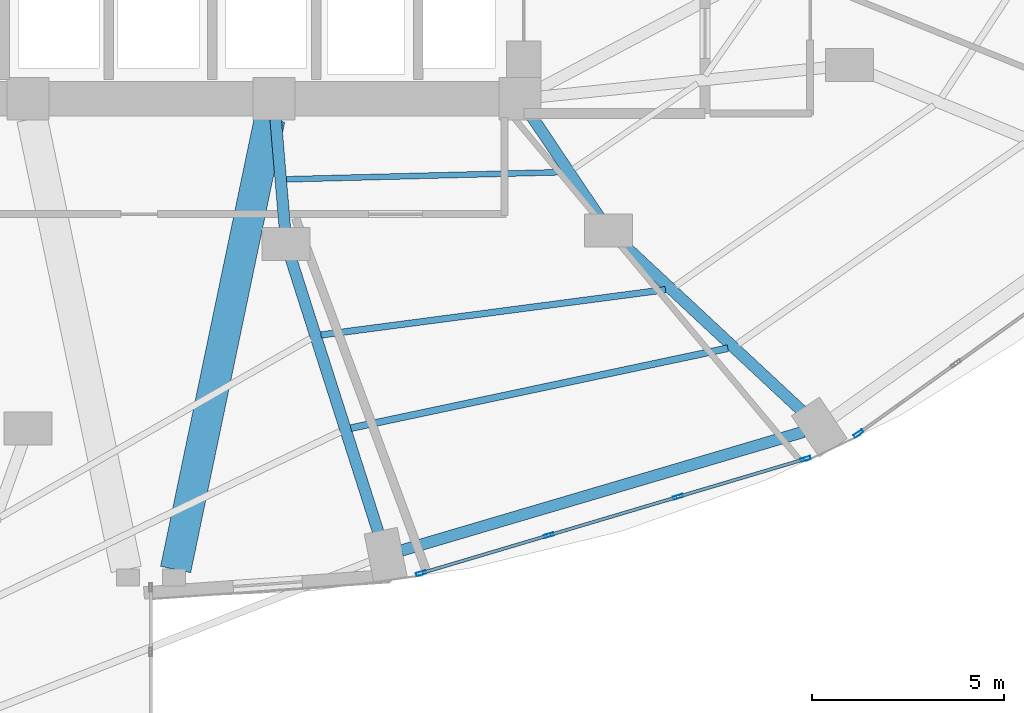
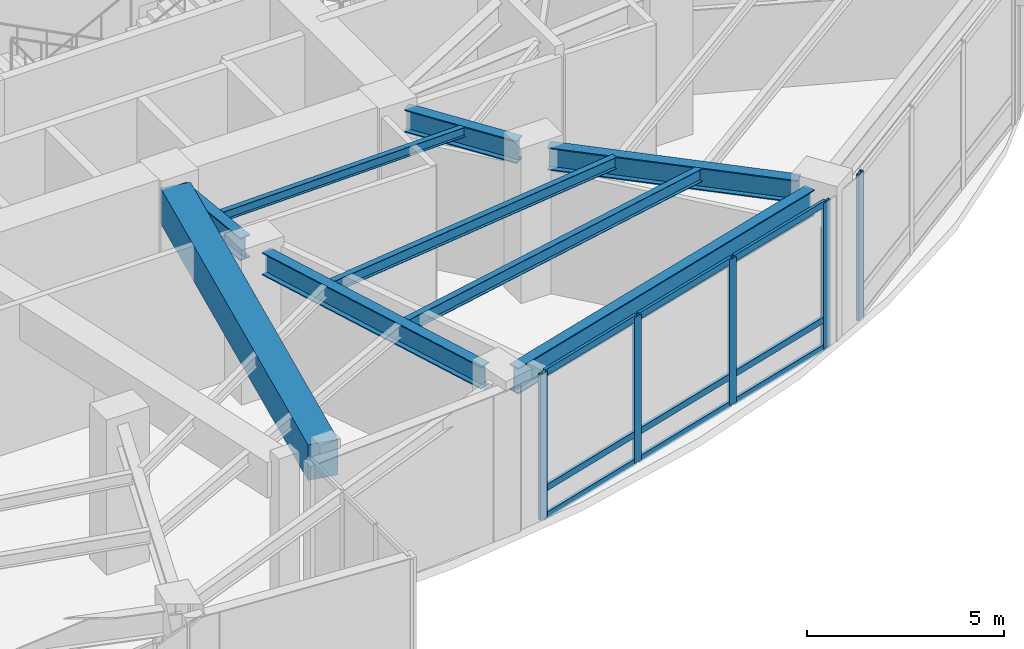
# One storey, part 10 of 24: 14 members, 9 beams, 2 elements without a shape of their own.
"""IFC4 building model written with IfcOpenShell, lengths in metres."""

from ifc_helpers import new_model, si_unit, direction, frame, origin, origin_2d, place, context, subcontext, project, spatial, rectangle, hollow_rectangle, i_section, extrude, material, layer, layer_set, material_profile, profile_set, type_object, element, aggregate, save


model = new_model("IFC4")

# Units and contexts
model_context = context("Model", 3, precision=1e-05, world=origin(), true_north=direction((0.0, 1.0)))
body_context = subcontext(model_context, "Body", "Model", "MODEL_VIEW")
ifc_project = project(units=[si_unit("LENGTHUNIT", "METRE"), si_unit("AREAUNIT", "SQUARE_METRE"), si_unit("VOLUMEUNIT", "CUBIC_METRE"), si_unit("PLANEANGLEUNIT", "RADIAN"), si_unit("MASSUNIT", "GRAM", prefix="KILO")], contexts=[model_context])

# Site, building, storey
site_placement = place(None, origin())
site = spatial("IfcSite", under=ifc_project, at=site_placement, CompositionType="ELEMENT")
building_placement = place(site_placement, origin())
building = spatial("IfcBuilding", under=site, at=building_placement, Name="Lazwardi Medical Tower", CompositionType="ELEMENT")
storey_placement = place(building_placement, frame((0.0, 0.0, 15.60009765625)))
storey = spatial("IfcBuildingStorey", under=building, at=storey_placement, Name="L03", CompositionType="ELEMENT", Elevation=15.60009765625)

# Beams
ifc_material_1 = material(Name="Concrete C70/85", Category="concrete")
ifc_material_profile_1 = material_profile(ifc_material_1, rectangle(XDim=0.800048828125, YDim=1.10009765625, at=origin_2d()), Name="RC 800x1100")
ifc_profile_set_1 = profile_set([ifc_material_profile_1], Name="Concrete C70/85")
beam_type_1 = type_object("IfcBeamType", Name="BM-CB-RC1", PredefinedType="LINTEL", material=ifc_profile_set_1)
beam_1_placement = place(storey_placement, frame((39.090576171875, 19.876220703125, 3.969970703125), z_axis=(-0.204429747009, -0.978881238219, 0.0), x_axis=(0.978881238219, -0.204429747009, 0.0)))
element("IfcBeam", 1, at=beam_1_placement, inside=storey, type_object=beam_type_1, Name="Core coupling lintel CB-01 PL4 L03", PredefinedType="LINTEL", context=body_context, shape_type="SweptSolid", body=[
    extrude(rectangle(XDim=0.800048828125, YDim=1.10009765625, at=origin_2d()), origin(), (0.0, 0.0, 1.0), 11.9736328125),
])
ifc_material_2 = material(Name="Steel S355", Category="steel")
ifc_material_profile_2 = material_profile(ifc_material_2, i_section(OverallWidth=0.300048828125, OverallDepth=0.800048828125, WebThickness=0.017578125, FlangeThickness=0.032958984375, at=origin_2d()), Name="HEB 800")
ifc_profile_set_2 = profile_set([ifc_material_profile_2], Name="Steel S355")
beam_type_2 = type_object("IfcBeamType", Name="BM-RB-P1", PredefinedType="BEAM", material=ifc_profile_set_2)
beam_2_placement = place(storey_placement, frame((42.518798828125, 8.650146484375, 4.119873046875), z_axis=(0.959103395471, 0.283055960537, 0.0), x_axis=(-0.283055960537, 0.959103395471, 0.0)))
element("IfcBeam", 2, at=beam_2_placement, inside=storey, type_object=beam_type_2, Name="Ring beam RB-01 B01 L03", PredefinedType="BEAM", context=body_context, shape_type="SweptSolid", body=[
    extrude(i_section(OverallWidth=0.300048828125, OverallDepth=0.800048828125, WebThickness=0.017578125, FlangeThickness=0.032958984375, at=origin_2d()), origin(), (0.0, 0.0, 1.0), 10.904052734375),
])
ifc_material_profile_3 = material_profile(ifc_material_2, i_section(OverallWidth=0.300048828125, OverallDepth=0.699951171875, WebThickness=0.01708984375, FlangeThickness=0.031982421875, at=origin_2d()), Name="HEB 700")
ifc_profile_set_3 = profile_set([ifc_material_profile_3], Name="Steel S355")
beam_type_3 = type_object("IfcBeamType", Name="BM-RG-P1", PredefinedType="BEAM", material=ifc_profile_set_3)
beam_3_placement = place(storey_placement, frame((41.9296875, 9.0810546875, 4.169921875), z_axis=(-0.304290316493, 0.952579342254, 0.0), x_axis=(-0.952579342254, -0.304290316493, 0.0)))
element("IfcBeam", 3, at=beam_3_placement, inside=storey, type_object=beam_type_3, Name="Radial girder RG-01 R01A L03", PredefinedType="BEAM", context=body_context, shape_type="SweptSolid", body=[
    extrude(i_section(OverallWidth=0.300048828125, OverallDepth=0.699951171875, WebThickness=0.01708984375, FlangeThickness=0.031982421875, at=origin_2d()), origin(), (0.0, 0.0, 1.0), 7.51953125),
])
beam_4_placement = place(storey_placement, frame((39.486083984375, 17.023681640625, 4.169921875), z_axis=(-0.084447396155, 0.996427938831, 0.0), x_axis=(-0.996427938831, -0.084447396155, 0.0)))
element("IfcBeam", 4, at=beam_4_placement, inside=storey, type_object=beam_type_3, Name="Radial girder RG-01 R01B L03", PredefinedType="BEAM", context=body_context, shape_type="SweptSolid", body=[
    extrude(i_section(OverallWidth=0.300048828125, OverallDepth=0.699951171875, WebThickness=0.01708984375, FlangeThickness=0.031982421875, at=origin_2d()), origin(), (0.0, 0.0, 1.0), 2.853515625),
])
beam_5_placement = place(storey_placement, frame((52.965087890625, 12.253662109375, 4.169921875), z_axis=(-0.731658891276, 0.681670937342, 0.0), x_axis=(-0.681670937342, -0.731658891276, 0.0)))
element("IfcBeam", 5, at=beam_5_placement, inside=storey, type_object=beam_type_3, Name="Radial girder RG-01 R02A L03", PredefinedType="BEAM", context=body_context, shape_type="SweptSolid", body=[
    extrude(i_section(OverallWidth=0.300048828125, OverallDepth=0.699951171875, WebThickness=0.01708984375, FlangeThickness=0.031982421875, at=origin_2d()), origin(), (0.0, 0.0, 1.0), 6.52001953125),
])
beam_6_placement = place(storey_placement, frame((47.678955078125, 17.302978515625, 4.169921875), z_axis=(-0.557342392299, 0.830282757708, 0.0), x_axis=(-0.830282757708, -0.557342392299, 0.0)))
element("IfcBeam", 6, at=beam_6_placement, inside=storey, type_object=beam_type_3, Name="Radial girder RG-01 R02B L03", PredefinedType="BEAM", context=body_context, shape_type="SweptSolid", body=[
    extrude(i_section(OverallWidth=0.300048828125, OverallDepth=0.699951171875, WebThickness=0.01708984375, FlangeThickness=0.031982421875, at=origin_2d()), origin(), (0.0, 0.0, 1.0), 3.195068359375),
])
ifc_material_profile_4 = material_profile(ifc_material_2, i_section(OverallWidth=0.179931640625, OverallDepth=0.39990234375, WebThickness=0.008544921875, FlangeThickness=0.013427734375, at=origin_2d()), Name="IPE 400")
ifc_profile_set_4 = profile_set([ifc_material_profile_4], Name="Steel S355")
beam_type_4 = type_object("IfcBeamType", Name="BM-SJ-01", PredefinedType="JOIST", material=ifc_profile_set_4)
beam_7_placement = place(storey_placement, frame((41.2021484375, 11.8330078125, 4.31982421875), z_axis=(0.9782537418, 0.207411708093, 0.0), x_axis=(-0.207411708093, 0.9782537418, 0.0)))
element("IfcBeam", 7, at=beam_7_placement, inside=storey, type_object=beam_type_4, Name="Secondary joist SJ-01 RO1 B01 L03", PredefinedType="JOIST", context=body_context, shape_type="SweptSolid", body=[
    extrude(i_section(OverallWidth=0.179931640625, OverallDepth=0.39990234375, WebThickness=0.008544921875, FlangeThickness=0.013427734375, at=origin_2d()), origin(), (0.0, 0.0, 1.0), 10.0263671875),
])
ifc_material_profile_5 = material_profile(ifc_material_2, i_section(OverallWidth=0.169921875, OverallDepth=0.360107421875, WebThickness=0.008056640625, FlangeThickness=0.0126953125, at=origin_2d()), Name="IPE 360")
ifc_profile_set_5 = profile_set([ifc_material_profile_5], Name="Steel S355")
beam_type_5 = type_object("IfcBeamType", Name="BM-SJ-02", PredefinedType="JOIST", material=ifc_profile_set_5)
beam_8_placement = place(storey_placement, frame((40.426025390625, 14.25732421875, 4.33984375), z_axis=(0.991476440032, 0.130286103868, 0.0), x_axis=(-0.130286103868, 0.991476440032, 0.0)))
element("IfcBeam", 8, at=beam_8_placement, inside=storey, type_object=beam_type_5, Name="Secondary joist SJ-02 RO2 B01 L03", PredefinedType="JOIST", context=body_context, shape_type="SweptSolid", body=[
    extrude(i_section(OverallWidth=0.169921875, OverallDepth=0.360107421875, WebThickness=0.008056640625, FlangeThickness=0.0126953125, at=origin_2d()), origin(), (0.0, 0.0, 1.0), 9.037841796875),
])
ifc_material_profile_6 = material_profile(ifc_material_2, i_section(OverallWidth=0.14990234375, OverallDepth=0.300048828125, WebThickness=0.007080078125, FlangeThickness=0.0107421875, at=origin_2d()), Name="IPE 300")
ifc_profile_set_6 = profile_set([ifc_material_profile_6], Name="Steel S355")
beam_type_6 = type_object("IfcBeamType", Name="BM-SJ-03", PredefinedType="JOIST", material=ifc_profile_set_6)
beam_9_placement = place(storey_placement, frame((39.522705078125, 18.306884765625, 4.369873046875), z_axis=(0.999666407712, 0.025827762058, 0.0), x_axis=(-0.025827762058, 0.999666407712, 0.0)))
element("IfcBeam", 9, at=beam_9_placement, inside=storey, type_object=beam_type_6, Name="Secondary joist SJ-03 RI1 B01 L03", PredefinedType="JOIST", context=body_context, shape_type="SweptSolid", body=[
    extrude(i_section(OverallWidth=0.14990234375, OverallDepth=0.300048828125, WebThickness=0.007080078125, FlangeThickness=0.0107421875, at=origin_2d()), origin(), (0.0, 0.0, 1.0), 7.21240234375),
])

# Curtain wall, members
ifc_material_3 = material(Name="Anodised bronze aluminium and solar control glazing", Category="aluminium")
ifc_layer = layer(ifc_material_3, 0.219970703125)
ifc_layer_set = layer_set([ifc_layer], Name="Anodised bronze aluminium and solar control glazing")
curtain_wall_type = type_object("IfcCurtainWallType", Name="CW-SYS-01", PredefinedType="NOTDEFINED", material=ifc_layer_set)
curtain_wall_1_placement = place(storey_placement, origin())
curtain_wall_1 = element("IfcCurtainWall", 10, at=curtain_wall_1_placement, inside=storey, type_object=curtain_wall_type, Name="L03 Unitised bronze curtain wall CW-01", PredefinedType="NOTDEFINED")
ifc_material_4 = material(Name="Anodised bronze aluminium", Category="aluminium")
ifc_material_profile_7 = material_profile(ifc_material_4, hollow_rectangle(XDim=0.0849609375, YDim=0.260009765625, WallThickness=0.0048828125, at=origin_2d()), Name="ALU-MULLION 260x85x5")
ifc_profile_set_7 = profile_set([ifc_material_profile_7], Name="Anodised bronze aluminium")
member_type_1 = type_object("IfcMemberType", Name="CW-MUL-02", PredefinedType="MULLION", material=ifc_profile_set_7)
member_1_placement = place(storey_placement, frame((43.02880859375, 8.05810546875, 0.0), z_axis=(0.0, 0.0, 1.0), x_axis=(-0.285047195531, 0.958513482597, 0.0)))
member_1 = element("IfcMember", 11, at=member_1_placement, type_object=member_type_1, Name="CW-01 mullion 1", PredefinedType="MULLION", context=body_context, shape_type="SweptSolid", body=[
    extrude(hollow_rectangle(XDim=0.0849609375, YDim=0.260009765625, WallThickness=0.0048828125, at=origin_2d()), origin(), (0.0, 0.0, 1.0), 4.52001953125),
])
member_2_placement = place(storey_placement, frame((46.350341796875, 9.0458984375, 0.0), z_axis=(0.0, 0.0, 1.0), x_axis=(-0.285047195531, 0.958513482597, 0.0)))
member_2 = element("IfcMember", 12, at=member_2_placement, type_object=member_type_1, Name="CW-01 mullion 2", PredefinedType="MULLION", context=body_context, shape_type="SweptSolid", body=[
    extrude(hollow_rectangle(XDim=0.0849609375, YDim=0.260009765625, WallThickness=0.0048828125, at=origin_2d()), origin(), (0.0, 0.0, 1.0), 4.52001953125),
])
member_3_placement = place(storey_placement, frame((49.71240234375, 10.0458984375, 0.0), z_axis=(0.0, 0.0, 1.0), x_axis=(-0.285047195531, 0.958513482597, 0.0)))
member_3 = element("IfcMember", 13, at=member_3_placement, type_object=member_type_1, Name="CW-01 mullion 3", PredefinedType="MULLION", context=body_context, shape_type="SweptSolid", body=[
    extrude(hollow_rectangle(XDim=0.0849609375, YDim=0.260009765625, WallThickness=0.0048828125, at=origin_2d()), origin(), (0.0, 0.0, 1.0), 4.52001953125),
])
member_4_placement = place(storey_placement, frame((53.033935546875, 11.03369140625, 0.0), z_axis=(0.0, 0.0, 1.0), x_axis=(-0.285047195531, 0.958513482597, 0.0)))
member_4 = element("IfcMember", 14, at=member_4_placement, type_object=member_type_1, Name="CW-01 mullion 4", PredefinedType="MULLION", context=body_context, shape_type="SweptSolid", body=[
    extrude(hollow_rectangle(XDim=0.0849609375, YDim=0.260009765625, WallThickness=0.0048828125, at=origin_2d()), origin(), (0.0, 0.0, 1.0), 4.52001953125),
])

# Curtain wall, member
curtain_wall_2_placement = place(storey_placement, origin())
curtain_wall_2 = element("IfcCurtainWall", 15, at=curtain_wall_2_placement, inside=storey, type_object=curtain_wall_type, Name="L03 Unitised bronze curtain wall CW-01", PredefinedType="NOTDEFINED")
member_5_placement = place(storey_placement, frame((54.40576171875, 11.6923828125, 0.0), z_axis=(0.0, 0.0, 1.0), x_axis=(-0.583214260584, 0.812318365083, 0.0)))
member_5 = element("IfcMember", 16, at=member_5_placement, type_object=member_type_1, Name="CW-01 mullion 1", PredefinedType="MULLION", context=body_context, shape_type="SweptSolid", body=[
    extrude(hollow_rectangle(XDim=0.0849609375, YDim=0.260009765625, WallThickness=0.0048828125, at=origin_2d()), origin(), (0.0, 0.0, 1.0), 4.52001953125),
])
aggregate(curtain_wall_2, [member_5])

# Member
ifc_material_profile_8 = material_profile(ifc_material_4, hollow_rectangle(XDim=0.0849609375, YDim=0.199951171875, WallThickness=0.00439453125, at=origin_2d()), Name="ALU-TRANSOM 200x85x4.5")
ifc_profile_set_8 = profile_set([ifc_material_profile_8], Name="Anodised bronze aluminium")
member_type_2 = type_object("IfcMemberType", Name="CW-TRN-02", PredefinedType="USERDEFINED", material=ifc_profile_set_8)
member_6_placement = place(storey_placement, frame((43.069580078125, 8.0703125, 0.04248046875), z_axis=(0.958505424522, 0.285074290603, 0.0), x_axis=(-0.285074290603, 0.958505424522, 0.0)))
member_6 = element("IfcMember", 17, at=member_6_placement, type_object=member_type_2, Name="CW-01 transom 1.1", ObjectType="TRANSOM", PredefinedType="USERDEFINED", context=body_context, shape_type="SweptSolid", body=[
    extrude(hollow_rectangle(XDim=0.0849609375, YDim=0.199951171875, WallThickness=0.00439453125, at=origin_2d()), origin(), (0.0, 0.0, 1.0), 3.38037109375),
])

member_7_placement = place(storey_placement, frame((43.069580078125, 8.0703125, 0.89990234375), z_axis=(0.958505424522, 0.285074290603, 0.0), x_axis=(-0.285074290603, 0.958505424522, 0.0)))
member_7 = element("IfcMember", 18, at=member_7_placement, type_object=member_type_2, Name="CW-01 transom 1.2", ObjectType="TRANSOM", PredefinedType="USERDEFINED", context=body_context, shape_type="SweptSolid", body=[
    extrude(hollow_rectangle(XDim=0.0849609375, YDim=0.199951171875, WallThickness=0.00439453125, at=origin_2d()), origin(), (0.0, 0.0, 1.0), 3.38037109375),
])

member_8_placement = place(storey_placement, frame((43.069580078125, 8.0703125, 4.477294921875), z_axis=(0.958505424522, 0.285074290603, 0.0), x_axis=(-0.285074290603, 0.958505424522, 0.0)))
member_8 = element("IfcMember", 19, at=member_8_placement, type_object=member_type_2, Name="CW-01 transom 1.3", ObjectType="TRANSOM", PredefinedType="USERDEFINED", context=body_context, shape_type="SweptSolid", body=[
    extrude(hollow_rectangle(XDim=0.0849609375, YDim=0.199951171875, WallThickness=0.00439453125, at=origin_2d()), origin(), (0.0, 0.0, 1.0), 3.38037109375),
])

member_9_placement = place(storey_placement, frame((46.39111328125, 9.05810546875, 0.04248046875), z_axis=(0.958518450342, 0.285030490219, 0.0), x_axis=(-0.285030490219, 0.958518450342, 0.0)))
member_9 = element("IfcMember", 20, at=member_9_placement, type_object=member_type_2, Name="CW-01 transom 2.1", ObjectType="TRANSOM", PredefinedType="USERDEFINED", context=body_context, shape_type="SweptSolid", body=[
    extrude(hollow_rectangle(XDim=0.0849609375, YDim=0.199951171875, WallThickness=0.00439453125, at=origin_2d()), origin(), (0.0, 0.0, 1.0), 3.4228515625),
])

member_10_placement = place(storey_placement, frame((46.39111328125, 9.05810546875, 0.89990234375), z_axis=(0.958518450342, 0.285030490219, 0.0), x_axis=(-0.285030490219, 0.958518450342, 0.0)))
member_10 = element("IfcMember", 21, at=member_10_placement, type_object=member_type_2, Name="CW-01 transom 2.2", ObjectType="TRANSOM", PredefinedType="USERDEFINED", context=body_context, shape_type="SweptSolid", body=[
    extrude(hollow_rectangle(XDim=0.0849609375, YDim=0.199951171875, WallThickness=0.00439453125, at=origin_2d()), origin(), (0.0, 0.0, 1.0), 3.4228515625),
])

member_11_placement = place(storey_placement, frame((46.39111328125, 9.05810546875, 4.477294921875), z_axis=(0.958518450342, 0.285030490219, 0.0), x_axis=(-0.285030490219, 0.958518450342, 0.0)))
member_11 = element("IfcMember", 22, at=member_11_placement, type_object=member_type_2, Name="CW-01 transom 2.3", ObjectType="TRANSOM", PredefinedType="USERDEFINED", context=body_context, shape_type="SweptSolid", body=[
    extrude(hollow_rectangle(XDim=0.0849609375, YDim=0.199951171875, WallThickness=0.00439453125, at=origin_2d()), origin(), (0.0, 0.0, 1.0), 3.4228515625),
])

member_12_placement = place(storey_placement, frame((49.753173828125, 10.057861328125, 0.04248046875), z_axis=(0.958505424522, 0.285074290603, 0.0), x_axis=(-0.285074290603, 0.958505424522, 0.0)))
member_12 = element("IfcMember", 23, at=member_12_placement, type_object=member_type_2, Name="CW-01 transom 3.1", ObjectType="TRANSOM", PredefinedType="USERDEFINED", context=body_context, shape_type="SweptSolid", body=[
    extrude(hollow_rectangle(XDim=0.0849609375, YDim=0.199951171875, WallThickness=0.00439453125, at=origin_2d()), origin(), (0.0, 0.0, 1.0), 3.38037109375),
])

member_13_placement = place(storey_placement, frame((49.753173828125, 10.057861328125, 0.89990234375), z_axis=(0.958505424522, 0.285074290603, 0.0), x_axis=(-0.285074290603, 0.958505424522, 0.0)))
member_13 = element("IfcMember", 24, at=member_13_placement, type_object=member_type_2, Name="CW-01 transom 3.2", ObjectType="TRANSOM", PredefinedType="USERDEFINED", context=body_context, shape_type="SweptSolid", body=[
    extrude(hollow_rectangle(XDim=0.0849609375, YDim=0.199951171875, WallThickness=0.00439453125, at=origin_2d()), origin(), (0.0, 0.0, 1.0), 3.38037109375),
])

member_14_placement = place(storey_placement, frame((49.753173828125, 10.057861328125, 4.477294921875), z_axis=(0.958505424522, 0.285074290603, 0.0), x_axis=(-0.285074290603, 0.958505424522, 0.0)))
member_14 = element("IfcMember", 25, at=member_14_placement, type_object=member_type_2, Name="CW-01 transom 3.3", ObjectType="TRANSOM", PredefinedType="USERDEFINED", context=body_context, shape_type="SweptSolid", body=[
    extrude(hollow_rectangle(XDim=0.0849609375, YDim=0.199951171875, WallThickness=0.00439453125, at=origin_2d()), origin(), (0.0, 0.0, 1.0), 3.38037109375),
])

aggregate(curtain_wall_1, [member_1, member_2, member_3, member_4, member_6, member_7, member_8, member_9, member_10, member_11, member_12, member_13, member_14])

save(model, "model.ifc")
